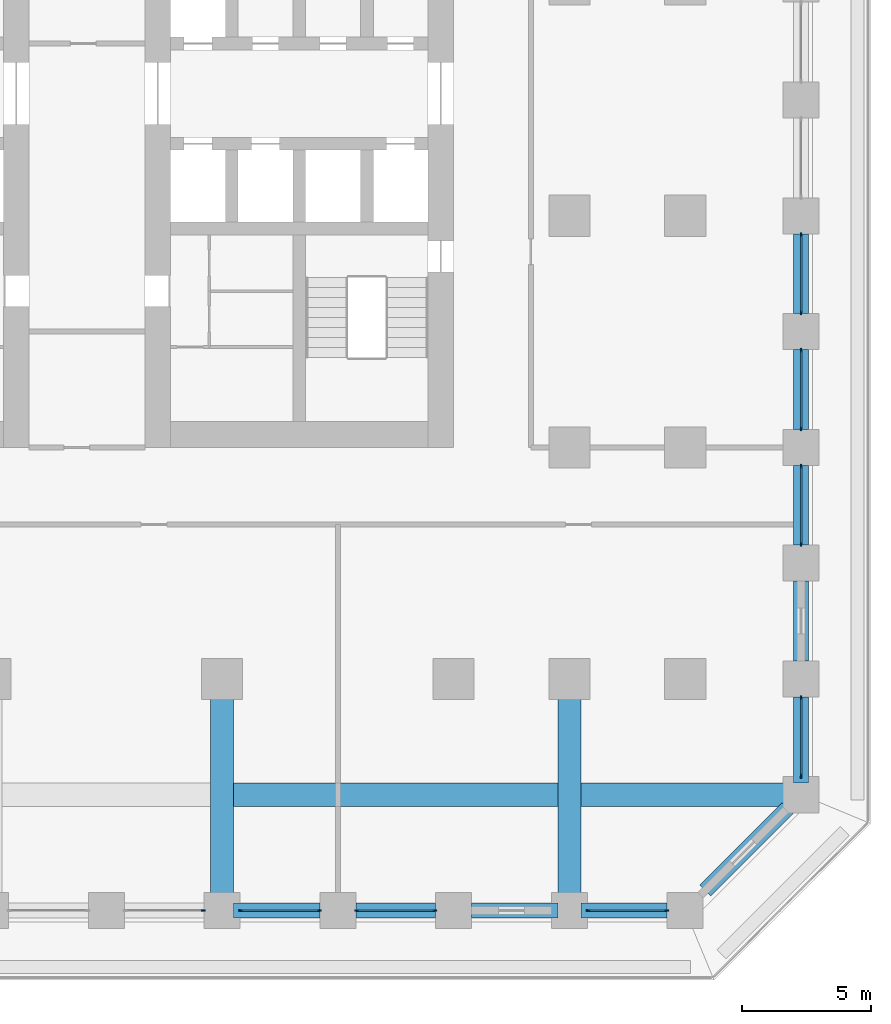
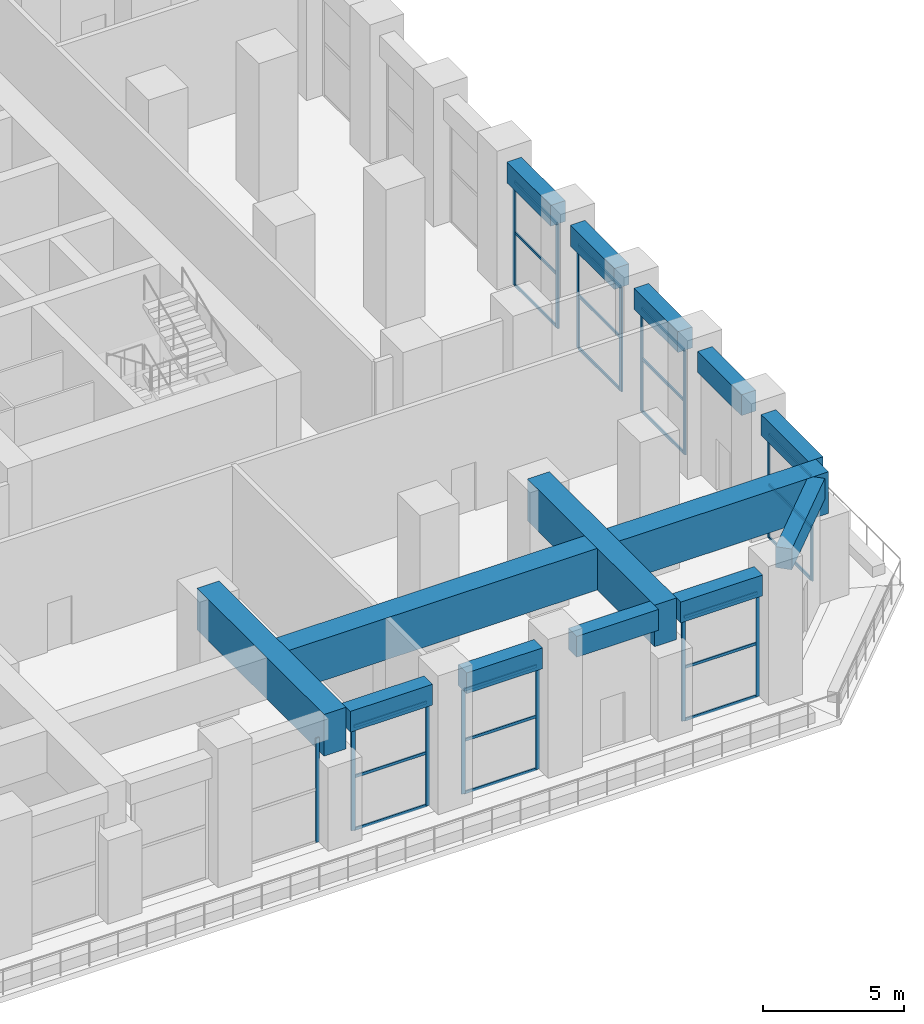
# One storey, part 4 of 19: 36 members, 14 beams, 8 elements without a shape of their own.
"""IFC4 building model written with IfcOpenShell, lengths in metres."""

from ifc_helpers import new_model, si_unit, direction, frame, origin, origin_2d, place, context, subcontext, project, spatial, rectangle, extrude, material, material_profile, profile_set, type_object, element, aggregate, save


model = new_model("IFC4")

# Units and contexts
model_context = context("Model", 3, precision=1e-05, world=origin(), true_north=direction((0.0, 1.0)))
body_context = subcontext(model_context, "Body", "Model", "MODEL_VIEW")
ifc_project = project(units=[si_unit("LENGTHUNIT", "METRE"), si_unit("AREAUNIT", "SQUARE_METRE"), si_unit("VOLUMEUNIT", "CUBIC_METRE"), si_unit("PLANEANGLEUNIT", "RADIAN"), si_unit("MASSUNIT", "GRAM", prefix="KILO")], contexts=[model_context])

# Site, building, storey
site_placement = place(None, origin())
site = spatial("IfcSite", under=ifc_project, at=site_placement, CompositionType="ELEMENT")
building_placement = place(site_placement, origin())
building = spatial("IfcBuilding", under=site, at=building_placement, Name="Corbel Stack Research Tower", CompositionType="ELEMENT")
storey_placement = place(building_placement, frame((0.0, 0.0, 70.60009765625)))
storey = spatial("IfcBuildingStorey", under=building, at=storey_placement, Name="L16", CompositionType="ELEMENT", Elevation=70.60009765625)

# Curtain wall, member
ifc_material_1 = material(Name="Aluminium frame, clear glass", Category="aluminium")
curtain_wall_type = type_object("IfcCurtainWallType", Name="Amenity floor curtain wall CW2", PredefinedType="NOTDEFINED", material=ifc_material_1)
curtain_wall_1_placement = place(storey_placement, origin())
curtain_wall_1 = element("IfcCurtainWall", 1, at=curtain_wall_1_placement, inside=storey, type_object=curtain_wall_type, Name="Curtain wall CW2 L16 S06", PredefinedType="NOTDEFINED")
ifc_material_2 = material(Name="Aluminium mullion", Category="aluminium")
ifc_material_profile_1 = material_profile(ifc_material_2, rectangle(XDim=0.06005859375, YDim=0.159912109375, at=origin_2d()), Name="Mullion 60 x 160")
ifc_profile_set_1 = profile_set([ifc_material_profile_1], Name="Aluminium mullion")
member_type_1 = type_object("IfcMemberType", Name="Curtain wall mullion 60 x 160", PredefinedType="MULLION", material=ifc_profile_set_1)
member_1_placement = place(storey_placement, frame((8.27001953125, -27.0, 0.0), z_axis=(0.0, 0.0, 1.0), x_axis=(0.0, 1.0, 0.0)))
member_1 = element("IfcMember", 2, at=member_1_placement, type_object=member_type_1, Name="CW2 L16 S06 mullion 2", PredefinedType="MULLION", context=body_context, shape_type="SweptSolid", body=[
    extrude(rectangle(XDim=0.06005859375, YDim=0.159912109375, at=origin_2d()), origin(), (0.0, 0.0, 1.0), 4.5),
])
aggregate(curtain_wall_1, [member_1])

# Curtain wall, members
curtain_wall_2_placement = place(storey_placement, origin())
curtain_wall_2 = element("IfcCurtainWall", 3, at=curtain_wall_2_placement, inside=storey, type_object=curtain_wall_type, Name="Curtain wall CW2 L16 S07", PredefinedType="NOTDEFINED")
member_2_placement = place(storey_placement, frame((9.72998046875, -27.0, 0.0), z_axis=(0.0, 0.0, 1.0), x_axis=(0.0, 1.0, 0.0)))
member_2 = element("IfcMember", 4, at=member_2_placement, type_object=member_type_1, Name="CW2 L16 S07 mullion 1", PredefinedType="MULLION", context=body_context, shape_type="SweptSolid", body=[
    extrude(rectangle(XDim=0.06005859375, YDim=0.159912109375, at=origin_2d()), origin(), (0.0, 0.0, 1.0), 4.5),
])
member_3_placement = place(storey_placement, frame((12.77001953125, -27.0, 0.0), z_axis=(0.0, 0.0, 1.0), x_axis=(0.0, 1.0, 0.0)))
member_3 = element("IfcMember", 5, at=member_3_placement, type_object=member_type_1, Name="CW2 L16 S07 mullion 2", PredefinedType="MULLION", context=body_context, shape_type="SweptSolid", body=[
    extrude(rectangle(XDim=0.06005859375, YDim=0.159912109375, at=origin_2d()), origin(), (0.0, 0.0, 1.0), 4.5),
])

curtain_wall_3_placement = place(storey_placement, origin())
curtain_wall_3 = element("IfcCurtainWall", 6, at=curtain_wall_3_placement, inside=storey, type_object=curtain_wall_type, Name="Curtain wall CW2 L16 S08", PredefinedType="NOTDEFINED")
member_4_placement = place(storey_placement, frame((14.22998046875, -27.0, 0.0), z_axis=(0.0, 0.0, 1.0), x_axis=(0.0, 1.0, 0.0)))
member_4 = element("IfcMember", 7, at=member_4_placement, type_object=member_type_1, Name="CW2 L16 S08 mullion 1", PredefinedType="MULLION", context=body_context, shape_type="SweptSolid", body=[
    extrude(rectangle(XDim=0.06005859375, YDim=0.159912109375, at=origin_2d()), origin(), (0.0, 0.0, 1.0), 4.5),
])
member_5_placement = place(storey_placement, frame((17.27001953125, -27.0, 0.0), z_axis=(0.0, 0.0, 1.0), x_axis=(0.0, 1.0, 0.0)))
member_5 = element("IfcMember", 8, at=member_5_placement, type_object=member_type_1, Name="CW2 L16 S08 mullion 2", PredefinedType="MULLION", context=body_context, shape_type="SweptSolid", body=[
    extrude(rectangle(XDim=0.06005859375, YDim=0.159912109375, at=origin_2d()), origin(), (0.0, 0.0, 1.0), 4.5),
])

curtain_wall_4_placement = place(storey_placement, origin())
curtain_wall_4 = element("IfcCurtainWall", 9, at=curtain_wall_4_placement, inside=storey, type_object=curtain_wall_type, Name="Curtain wall CW2 L16 S10", PredefinedType="NOTDEFINED")
member_6_placement = place(storey_placement, frame((23.22998046875, -27.0, 0.0), z_axis=(0.0, 0.0, 1.0), x_axis=(0.0, 1.0, 0.0)))
member_6 = element("IfcMember", 10, at=member_6_placement, type_object=member_type_1, Name="CW2 L16 S10 mullion 1", PredefinedType="MULLION", context=body_context, shape_type="SweptSolid", body=[
    extrude(rectangle(XDim=0.06005859375, YDim=0.159912109375, at=origin_2d()), origin(), (0.0, 0.0, 1.0), 4.5),
])
member_7_placement = place(storey_placement, frame((26.27001953125, -27.0, 0.0), z_axis=(0.0, 0.0, 1.0), x_axis=(0.0, 1.0, 0.0)))
member_7 = element("IfcMember", 11, at=member_7_placement, type_object=member_type_1, Name="CW2 L16 S10 mullion 2", PredefinedType="MULLION", context=body_context, shape_type="SweptSolid", body=[
    extrude(rectangle(XDim=0.06005859375, YDim=0.159912109375, at=origin_2d()), origin(), (0.0, 0.0, 1.0), 4.5),
])

curtain_wall_5_placement = place(storey_placement, origin())
curtain_wall_5 = element("IfcCurtainWall", 12, at=curtain_wall_5_placement, inside=storey, type_object=curtain_wall_type, Name="Curtain wall CW2 L16 E01", PredefinedType="NOTDEFINED")
member_8_placement = place(storey_placement, frame((31.5, -21.77001953125, 0.0), z_axis=(0.0, 0.0, 1.0), x_axis=(-1.0, 0.0, 0.0)))
member_8 = element("IfcMember", 13, at=member_8_placement, type_object=member_type_1, Name="CW2 L16 E01 mullion 1", PredefinedType="MULLION", context=body_context, shape_type="SweptSolid", body=[
    extrude(rectangle(XDim=0.06005859375, YDim=0.159912109375, at=origin_2d()), origin(), (0.0, 0.0, 1.0), 4.5),
])
member_9_placement = place(storey_placement, frame((31.5, -18.72998046875, 0.0), z_axis=(0.0, 0.0, 1.0), x_axis=(-1.0, 0.0, 0.0)))
member_9 = element("IfcMember", 14, at=member_9_placement, type_object=member_type_1, Name="CW2 L16 E01 mullion 2", PredefinedType="MULLION", context=body_context, shape_type="SweptSolid", body=[
    extrude(rectangle(XDim=0.06005859375, YDim=0.159912109375, at=origin_2d()), origin(), (0.0, 0.0, 1.0), 4.5),
])

curtain_wall_6_placement = place(storey_placement, origin())
curtain_wall_6 = element("IfcCurtainWall", 15, at=curtain_wall_6_placement, inside=storey, type_object=curtain_wall_type, Name="Curtain wall CW2 L16 E03", PredefinedType="NOTDEFINED")
member_10_placement = place(storey_placement, frame((31.5, -12.77001953125, 0.0), z_axis=(0.0, 0.0, 1.0), x_axis=(-1.0, 0.0, 0.0)))
member_10 = element("IfcMember", 16, at=member_10_placement, type_object=member_type_1, Name="CW2 L16 E03 mullion 1", PredefinedType="MULLION", context=body_context, shape_type="SweptSolid", body=[
    extrude(rectangle(XDim=0.06005859375, YDim=0.159912109375, at=origin_2d()), origin(), (0.0, 0.0, 1.0), 4.5),
])
member_11_placement = place(storey_placement, frame((31.5, -9.72998046875, 0.0), z_axis=(0.0, 0.0, 1.0), x_axis=(-1.0, 0.0, 0.0)))
member_11 = element("IfcMember", 17, at=member_11_placement, type_object=member_type_1, Name="CW2 L16 E03 mullion 2", PredefinedType="MULLION", context=body_context, shape_type="SweptSolid", body=[
    extrude(rectangle(XDim=0.06005859375, YDim=0.159912109375, at=origin_2d()), origin(), (0.0, 0.0, 1.0), 4.5),
])

curtain_wall_7_placement = place(storey_placement, origin())
curtain_wall_7 = element("IfcCurtainWall", 18, at=curtain_wall_7_placement, inside=storey, type_object=curtain_wall_type, Name="Curtain wall CW2 L16 E04", PredefinedType="NOTDEFINED")
member_12_placement = place(storey_placement, frame((31.5, -8.27001953125, 0.0), z_axis=(0.0, 0.0, 1.0), x_axis=(-1.0, 0.0, 0.0)))
member_12 = element("IfcMember", 19, at=member_12_placement, type_object=member_type_1, Name="CW2 L16 E04 mullion 1", PredefinedType="MULLION", context=body_context, shape_type="SweptSolid", body=[
    extrude(rectangle(XDim=0.06005859375, YDim=0.159912109375, at=origin_2d()), origin(), (0.0, 0.0, 1.0), 4.5),
])
member_13_placement = place(storey_placement, frame((31.5, -5.22998046875, 0.0), z_axis=(0.0, 0.0, 1.0), x_axis=(-1.0, 0.0, 0.0)))
member_13 = element("IfcMember", 20, at=member_13_placement, type_object=member_type_1, Name="CW2 L16 E04 mullion 2", PredefinedType="MULLION", context=body_context, shape_type="SweptSolid", body=[
    extrude(rectangle(XDim=0.06005859375, YDim=0.159912109375, at=origin_2d()), origin(), (0.0, 0.0, 1.0), 4.5),
])

curtain_wall_8_placement = place(storey_placement, origin())
curtain_wall_8 = element("IfcCurtainWall", 21, at=curtain_wall_8_placement, inside=storey, type_object=curtain_wall_type, Name="Curtain wall CW2 L16 E05", PredefinedType="NOTDEFINED")
member_14_placement = place(storey_placement, frame((31.5, -3.77001953125, 0.0), z_axis=(0.0, 0.0, 1.0), x_axis=(-1.0, 0.0, 0.0)))
member_14 = element("IfcMember", 22, at=member_14_placement, type_object=member_type_1, Name="CW2 L16 E05 mullion 1", PredefinedType="MULLION", context=body_context, shape_type="SweptSolid", body=[
    extrude(rectangle(XDim=0.06005859375, YDim=0.159912109375, at=origin_2d()), origin(), (0.0, 0.0, 1.0), 4.5),
])
member_15_placement = place(storey_placement, frame((31.5, -0.72998046875, 0.0), z_axis=(0.0, 0.0, 1.0), x_axis=(-1.0, 0.0, 0.0)))
member_15 = element("IfcMember", 23, at=member_15_placement, type_object=member_type_1, Name="CW2 L16 E05 mullion 2", PredefinedType="MULLION", context=body_context, shape_type="SweptSolid", body=[
    extrude(rectangle(XDim=0.06005859375, YDim=0.159912109375, at=origin_2d()), origin(), (0.0, 0.0, 1.0), 4.5),
])

# Member
ifc_material_3 = material(Name="Aluminium transom", Category="aluminium")
ifc_material_profile_2 = material_profile(ifc_material_3, rectangle(XDim=0.06005859375, YDim=0.1201171875, at=origin_2d()), Name="Transom 60 x 120")
ifc_profile_set_2 = profile_set([ifc_material_profile_2], Name="Aluminium transom")
member_type_2 = type_object("IfcMemberType", Name="Curtain wall transom 60 x 120", PredefinedType="USERDEFINED", material=ifc_profile_set_2)
member_16_placement = place(storey_placement, frame((9.760009765625, -27.0, 0.02978515625), z_axis=(1.0, 0.0, 0.0), x_axis=(0.0, 1.0, 0.0)))
member_16 = element("IfcMember", 24, at=member_16_placement, type_object=member_type_2, Name="CW2 L16 S07 transom 1.1", ObjectType="TRANSOM", PredefinedType="USERDEFINED", context=body_context, shape_type="SweptSolid", body=[
    extrude(rectangle(XDim=0.06005859375, YDim=0.1201171875, at=origin_2d()), origin(), (0.0, 0.0, 1.0), 2.97998046875),
])

member_17_placement = place(storey_placement, frame((9.760009765625, -27.0, 2.2998046875), z_axis=(1.0, 0.0, 0.0), x_axis=(0.0, 1.0, 0.0)))
member_17 = element("IfcMember", 25, at=member_17_placement, type_object=member_type_2, Name="CW2 L16 S07 transom 1.2", ObjectType="TRANSOM", PredefinedType="USERDEFINED", context=body_context, shape_type="SweptSolid", body=[
    extrude(rectangle(XDim=0.06005859375, YDim=0.1201171875, at=origin_2d()), origin(), (0.0, 0.0, 1.0), 2.97998046875),
])

member_18_placement = place(storey_placement, frame((9.760009765625, -27.0, 4.469970703125), z_axis=(1.0, 0.0, 0.0), x_axis=(0.0, 1.0, 0.0)))
member_18 = element("IfcMember", 26, at=member_18_placement, type_object=member_type_2, Name="CW2 L16 S07 transom 1.3", ObjectType="TRANSOM", PredefinedType="USERDEFINED", context=body_context, shape_type="SweptSolid", body=[
    extrude(rectangle(XDim=0.06005859375, YDim=0.1201171875, at=origin_2d()), origin(), (0.0, 0.0, 1.0), 2.97998046875),
])

aggregate(curtain_wall_2, [member_2, member_3, member_16, member_17, member_18])

member_19_placement = place(storey_placement, frame((14.260009765625, -27.0, 0.02978515625), z_axis=(1.0, 0.0, 0.0), x_axis=(0.0, 1.0, 0.0)))
member_19 = element("IfcMember", 27, at=member_19_placement, type_object=member_type_2, Name="CW2 L16 S08 transom 1.1", ObjectType="TRANSOM", PredefinedType="USERDEFINED", context=body_context, shape_type="SweptSolid", body=[
    extrude(rectangle(XDim=0.06005859375, YDim=0.1201171875, at=origin_2d()), origin(), (0.0, 0.0, 1.0), 2.97998046875),
])

member_20_placement = place(storey_placement, frame((14.260009765625, -27.0, 2.2998046875), z_axis=(1.0, 0.0, 0.0), x_axis=(0.0, 1.0, 0.0)))
member_20 = element("IfcMember", 28, at=member_20_placement, type_object=member_type_2, Name="CW2 L16 S08 transom 1.2", ObjectType="TRANSOM", PredefinedType="USERDEFINED", context=body_context, shape_type="SweptSolid", body=[
    extrude(rectangle(XDim=0.06005859375, YDim=0.1201171875, at=origin_2d()), origin(), (0.0, 0.0, 1.0), 2.97998046875),
])

member_21_placement = place(storey_placement, frame((14.260009765625, -27.0, 4.469970703125), z_axis=(1.0, 0.0, 0.0), x_axis=(0.0, 1.0, 0.0)))
member_21 = element("IfcMember", 29, at=member_21_placement, type_object=member_type_2, Name="CW2 L16 S08 transom 1.3", ObjectType="TRANSOM", PredefinedType="USERDEFINED", context=body_context, shape_type="SweptSolid", body=[
    extrude(rectangle(XDim=0.06005859375, YDim=0.1201171875, at=origin_2d()), origin(), (0.0, 0.0, 1.0), 2.97998046875),
])

aggregate(curtain_wall_3, [member_4, member_5, member_19, member_20, member_21])

member_22_placement = place(storey_placement, frame((23.260009765625, -27.0, 0.02978515625), z_axis=(1.0, 0.0, 0.0), x_axis=(0.0, 1.0, 0.0)))
member_22 = element("IfcMember", 30, at=member_22_placement, type_object=member_type_2, Name="CW2 L16 S10 transom 1.1", ObjectType="TRANSOM", PredefinedType="USERDEFINED", context=body_context, shape_type="SweptSolid", body=[
    extrude(rectangle(XDim=0.06005859375, YDim=0.1201171875, at=origin_2d()), origin(), (0.0, 0.0, 1.0), 2.97998046875),
])

member_23_placement = place(storey_placement, frame((23.260009765625, -27.0, 2.2998046875), z_axis=(1.0, 0.0, 0.0), x_axis=(0.0, 1.0, 0.0)))
member_23 = element("IfcMember", 31, at=member_23_placement, type_object=member_type_2, Name="CW2 L16 S10 transom 1.2", ObjectType="TRANSOM", PredefinedType="USERDEFINED", context=body_context, shape_type="SweptSolid", body=[
    extrude(rectangle(XDim=0.06005859375, YDim=0.1201171875, at=origin_2d()), origin(), (0.0, 0.0, 1.0), 2.97998046875),
])

member_24_placement = place(storey_placement, frame((23.260009765625, -27.0, 4.469970703125), z_axis=(1.0, 0.0, 0.0), x_axis=(0.0, 1.0, 0.0)))
member_24 = element("IfcMember", 32, at=member_24_placement, type_object=member_type_2, Name="CW2 L16 S10 transom 1.3", ObjectType="TRANSOM", PredefinedType="USERDEFINED", context=body_context, shape_type="SweptSolid", body=[
    extrude(rectangle(XDim=0.06005859375, YDim=0.1201171875, at=origin_2d()), origin(), (0.0, 0.0, 1.0), 2.97998046875),
])

aggregate(curtain_wall_4, [member_6, member_7, member_22, member_23, member_24])

member_25_placement = place(storey_placement, frame((31.5, -21.739990234375, 0.02978515625), z_axis=(0.0, 1.0, 0.0), x_axis=(-1.0, 0.0, 0.0)))
member_25 = element("IfcMember", 33, at=member_25_placement, type_object=member_type_2, Name="CW2 L16 E01 transom 1.1", ObjectType="TRANSOM", PredefinedType="USERDEFINED", context=body_context, shape_type="SweptSolid", body=[
    extrude(rectangle(XDim=0.06005859375, YDim=0.1201171875, at=origin_2d()), origin(), (0.0, 0.0, 1.0), 2.97998046875),
])

member_26_placement = place(storey_placement, frame((31.5, -21.739990234375, 2.2998046875), z_axis=(0.0, 1.0, 0.0), x_axis=(-1.0, 0.0, 0.0)))
member_26 = element("IfcMember", 34, at=member_26_placement, type_object=member_type_2, Name="CW2 L16 E01 transom 1.2", ObjectType="TRANSOM", PredefinedType="USERDEFINED", context=body_context, shape_type="SweptSolid", body=[
    extrude(rectangle(XDim=0.06005859375, YDim=0.1201171875, at=origin_2d()), origin(), (0.0, 0.0, 1.0), 2.97998046875),
])

member_27_placement = place(storey_placement, frame((31.5, -21.739990234375, 4.469970703125), z_axis=(0.0, 1.0, 0.0), x_axis=(-1.0, 0.0, 0.0)))
member_27 = element("IfcMember", 35, at=member_27_placement, type_object=member_type_2, Name="CW2 L16 E01 transom 1.3", ObjectType="TRANSOM", PredefinedType="USERDEFINED", context=body_context, shape_type="SweptSolid", body=[
    extrude(rectangle(XDim=0.06005859375, YDim=0.1201171875, at=origin_2d()), origin(), (0.0, 0.0, 1.0), 2.97998046875),
])

aggregate(curtain_wall_5, [member_8, member_9, member_25, member_26, member_27])

member_28_placement = place(storey_placement, frame((31.5, -12.739990234375, 0.02978515625), z_axis=(0.0, 1.0, 0.0), x_axis=(-1.0, 0.0, 0.0)))
member_28 = element("IfcMember", 36, at=member_28_placement, type_object=member_type_2, Name="CW2 L16 E03 transom 1.1", ObjectType="TRANSOM", PredefinedType="USERDEFINED", context=body_context, shape_type="SweptSolid", body=[
    extrude(rectangle(XDim=0.06005859375, YDim=0.1201171875, at=origin_2d()), origin(), (0.0, 0.0, 1.0), 2.97998046875),
])

member_29_placement = place(storey_placement, frame((31.5, -12.739990234375, 2.2998046875), z_axis=(0.0, 1.0, 0.0), x_axis=(-1.0, 0.0, 0.0)))
member_29 = element("IfcMember", 37, at=member_29_placement, type_object=member_type_2, Name="CW2 L16 E03 transom 1.2", ObjectType="TRANSOM", PredefinedType="USERDEFINED", context=body_context, shape_type="SweptSolid", body=[
    extrude(rectangle(XDim=0.06005859375, YDim=0.1201171875, at=origin_2d()), origin(), (0.0, 0.0, 1.0), 2.97998046875),
])

member_30_placement = place(storey_placement, frame((31.5, -12.739990234375, 4.469970703125), z_axis=(0.0, 1.0, 0.0), x_axis=(-1.0, 0.0, 0.0)))
member_30 = element("IfcMember", 38, at=member_30_placement, type_object=member_type_2, Name="CW2 L16 E03 transom 1.3", ObjectType="TRANSOM", PredefinedType="USERDEFINED", context=body_context, shape_type="SweptSolid", body=[
    extrude(rectangle(XDim=0.06005859375, YDim=0.1201171875, at=origin_2d()), origin(), (0.0, 0.0, 1.0), 2.97998046875),
])

aggregate(curtain_wall_6, [member_10, member_11, member_28, member_29, member_30])

member_31_placement = place(storey_placement, frame((31.5, -8.239990234375, 0.02978515625), z_axis=(0.0, 1.0, 0.0), x_axis=(-1.0, 0.0, 0.0)))
member_31 = element("IfcMember", 39, at=member_31_placement, type_object=member_type_2, Name="CW2 L16 E04 transom 1.1", ObjectType="TRANSOM", PredefinedType="USERDEFINED", context=body_context, shape_type="SweptSolid", body=[
    extrude(rectangle(XDim=0.06005859375, YDim=0.1201171875, at=origin_2d()), origin(), (0.0, 0.0, 1.0), 2.97998046875),
])

member_32_placement = place(storey_placement, frame((31.5, -8.239990234375, 2.2998046875), z_axis=(0.0, 1.0, 0.0), x_axis=(-1.0, 0.0, 0.0)))
member_32 = element("IfcMember", 40, at=member_32_placement, type_object=member_type_2, Name="CW2 L16 E04 transom 1.2", ObjectType="TRANSOM", PredefinedType="USERDEFINED", context=body_context, shape_type="SweptSolid", body=[
    extrude(rectangle(XDim=0.06005859375, YDim=0.1201171875, at=origin_2d()), origin(), (0.0, 0.0, 1.0), 2.97998046875),
])

member_33_placement = place(storey_placement, frame((31.5, -8.239990234375, 4.469970703125), z_axis=(0.0, 1.0, 0.0), x_axis=(-1.0, 0.0, 0.0)))
member_33 = element("IfcMember", 41, at=member_33_placement, type_object=member_type_2, Name="CW2 L16 E04 transom 1.3", ObjectType="TRANSOM", PredefinedType="USERDEFINED", context=body_context, shape_type="SweptSolid", body=[
    extrude(rectangle(XDim=0.06005859375, YDim=0.1201171875, at=origin_2d()), origin(), (0.0, 0.0, 1.0), 2.97998046875),
])

aggregate(curtain_wall_7, [member_12, member_13, member_31, member_32, member_33])

member_34_placement = place(storey_placement, frame((31.5, -3.739990234375, 0.02978515625), z_axis=(0.0, 1.0, 0.0), x_axis=(-1.0, 0.0, 0.0)))
member_34 = element("IfcMember", 42, at=member_34_placement, type_object=member_type_2, Name="CW2 L16 E05 transom 1.1", ObjectType="TRANSOM", PredefinedType="USERDEFINED", context=body_context, shape_type="SweptSolid", body=[
    extrude(rectangle(XDim=0.06005859375, YDim=0.1201171875, at=origin_2d()), origin(), (0.0, 0.0, 1.0), 2.97998046875),
])

member_35_placement = place(storey_placement, frame((31.5, -3.739990234375, 2.2998046875), z_axis=(0.0, 1.0, 0.0), x_axis=(-1.0, 0.0, 0.0)))
member_35 = element("IfcMember", 43, at=member_35_placement, type_object=member_type_2, Name="CW2 L16 E05 transom 1.2", ObjectType="TRANSOM", PredefinedType="USERDEFINED", context=body_context, shape_type="SweptSolid", body=[
    extrude(rectangle(XDim=0.06005859375, YDim=0.1201171875, at=origin_2d()), origin(), (0.0, 0.0, 1.0), 2.97998046875),
])

member_36_placement = place(storey_placement, frame((31.5, -3.739990234375, 4.469970703125), z_axis=(0.0, 1.0, 0.0), x_axis=(-1.0, 0.0, 0.0)))
member_36 = element("IfcMember", 44, at=member_36_placement, type_object=member_type_2, Name="CW2 L16 E05 transom 1.3", ObjectType="TRANSOM", PredefinedType="USERDEFINED", context=body_context, shape_type="SweptSolid", body=[
    extrude(rectangle(XDim=0.06005859375, YDim=0.1201171875, at=origin_2d()), origin(), (0.0, 0.0, 1.0), 2.97998046875),
])

aggregate(curtain_wall_8, [member_14, member_15, member_34, member_35, member_36])

# Beams
ifc_material_4 = material(Name="Concrete C60/75", Category="concrete")
ifc_material_profile_3 = material_profile(ifc_material_4, rectangle(XDim=0.60009765625, YDim=0.89990234375, at=origin_2d()), Name="RC 600 x 900")
ifc_profile_set_3 = profile_set([ifc_material_profile_3], Name="Concrete C60/75")
beam_type_1 = type_object("IfcBeamType", Name="SB-600-900-600", PredefinedType="SPANDREL", material=ifc_profile_set_3)
beam_1_placement = place(storey_placement, frame((9.449951171875, -27.0, 4.949951171875), z_axis=(1.0, 0.0, 0.0), x_axis=(0.0, 1.0, 0.0)))
element("IfcBeam", 45, at=beam_1_placement, inside=storey, type_object=beam_type_1, Name="Spandrel beam L16-07", PredefinedType="SPANDREL", context=body_context, shape_type="SweptSolid", body=[
    extrude(rectangle(XDim=0.60009765625, YDim=0.89990234375, at=origin_2d()), origin(), (0.0, 0.0, 1.0), 3.35009765625),
])
beam_2_placement = place(storey_placement, frame((14.199951171875, -27.0, 4.949951171875), z_axis=(1.0, 0.0, 0.0), x_axis=(0.0, 1.0, 0.0)))
element("IfcBeam", 46, at=beam_2_placement, inside=storey, type_object=beam_type_1, Name="Spandrel beam L16-08", PredefinedType="SPANDREL", context=body_context, shape_type="SweptSolid", body=[
    extrude(rectangle(XDim=0.60009765625, YDim=0.89990234375, at=origin_2d()), origin(), (0.0, 0.0, 1.0), 3.10009765625),
])
for number, where, z_axis, x_axis, name in (
    (47, (18.699951171875, -27.0, 4.949951171875), (1.0, 0.0, 0.0), (0.0, 1.0, 0.0), "Spandrel beam L16-09"),
    (48, (22.949951171875, -27.0, 4.949951171875), (1.0, 0.0, 0.0), (0.0, 1.0, 0.0), "Spandrel beam L16-10"),
):
    element("IfcBeam", number, at=place(storey_placement, frame(where, z_axis=z_axis, x_axis=x_axis)), inside=storey, type_object=beam_type_1, Name=name, PredefinedType="SPANDREL", context=body_context, shape_type="SweptSolid", body=[
        extrude(rectangle(XDim=0.60009765625, YDim=0.89990234375, at=origin_2d()), origin(), (0.0, 0.0, 1.0), 3.35009765625),
    ])
beam_3_placement = place(storey_placement, frame((27.77783203125, -26.22216796875, 4.949951171875), z_axis=(0.707106781187, 0.707106781187, 0.0), x_axis=(-0.707106781187, 0.707106781187, 0.0)))
element("IfcBeam", 49, at=beam_3_placement, inside=storey, type_object=beam_type_1, Name="Spandrel beam L16-11", PredefinedType="SPANDREL", context=body_context, shape_type="SweptSolid", body=[
    extrude(rectangle(XDim=0.60009765625, YDim=0.89990234375, at=origin_2d()), origin(), (0.0, 0.0, 1.0), 4.517578125),
])
beam_4_placement = place(storey_placement, frame((31.5, -22.050048828125, 4.949951171875), z_axis=(0.0, 1.0, 0.0), x_axis=(-1.0, 0.0, 0.0)))
element("IfcBeam", 50, at=beam_4_placement, inside=storey, type_object=beam_type_1, Name="Spandrel beam L16-12", PredefinedType="SPANDREL", context=body_context, shape_type="SweptSolid", body=[
    extrude(rectangle(XDim=0.60009765625, YDim=0.89990234375, at=origin_2d()), origin(), (0.0, 0.0, 1.0), 3.35009765625),
])
for number, where, z_axis, x_axis, name in (
    (51, (31.5, -17.300048828125, 4.949951171875), (0.0, 1.0, 0.0), (-1.0, 0.0, 0.0), "Spandrel beam L16-13"),
    (52, (31.5, -12.800048828125, 4.949951171875), (0.0, 1.0, 0.0), (-1.0, 0.0, 0.0), "Spandrel beam L16-14"),
    (53, (31.5, -8.300048828125, 4.949951171875), (0.0, 1.0, 0.0), (-1.0, 0.0, 0.0), "Spandrel beam L16-15"),
    (54, (31.5, -3.800048828125, 4.949951171875), (0.0, 1.0, 0.0), (-1.0, 0.0, 0.0), "Spandrel beam L16-16"),
):
    element("IfcBeam", number, at=place(storey_placement, frame(where, z_axis=z_axis, x_axis=x_axis)), inside=storey, type_object=beam_type_1, Name=name, PredefinedType="SPANDREL", context=body_context, shape_type="SweptSolid", body=[
        extrude(rectangle(XDim=0.60009765625, YDim=0.89990234375, at=origin_2d()), origin(), (0.0, 0.0, 1.0), 3.10009765625),
    ])
ifc_material_5 = material(Name="Concrete C60/75", Category="concrete")
ifc_material_profile_4 = material_profile(ifc_material_5, rectangle(XDim=0.89990234375, YDim=1.800048828125, at=origin_2d()), Name="RC 900 x 1800")
ifc_profile_set_4 = profile_set([ifc_material_profile_4], Name="Concrete C60/75")
beam_type_2 = type_object("IfcBeamType", Name="TG-900-1800", PredefinedType="BEAM", material=ifc_profile_set_4)
for number, where, z_axis, x_axis, name in (
    (55, (9.0, -27.0, 4.5), (0.0, 1.0, 0.0), (-1.0, 0.0, 0.0), "Transfer cross girder L16 Sx9"),
    (56, (22.5, -27.0, 4.5), (0.0, 1.0, 0.0), (-1.0, 0.0, 0.0), "Transfer cross girder L16 Sx22.5"),
):
    element("IfcBeam", number, at=place(storey_placement, frame(where, z_axis=z_axis, x_axis=x_axis)), inside=storey, type_object=beam_type_2, Name=name, PredefinedType="BEAM", context=body_context, shape_type="SweptSolid", body=[
        extrude(rectangle(XDim=0.89990234375, YDim=1.800048828125, at=origin_2d()), origin(), (0.0, 0.0, 1.0), 9.0),
    ])
beam_5_placement = place(storey_placement, frame((9.449951171875, -22.5, 4.5), z_axis=(1.0, 0.0, 0.0), x_axis=(0.0, 1.0, 0.0)))
element("IfcBeam", 57, at=beam_5_placement, inside=storey, type_object=beam_type_2, Name="Transfer girder along the step L16 Sl9", PredefinedType="BEAM", context=body_context, shape_type="SweptSolid", body=[
    extrude(rectangle(XDim=0.89990234375, YDim=1.800048828125, at=origin_2d()), origin(), (0.0, 0.0, 1.0), 12.60009765625),
])
beam_6_placement = place(storey_placement, frame((22.949951171875, -22.5, 4.5), z_axis=(1.0, 0.0, 0.0), x_axis=(0.0, 1.0, 0.0)))
element("IfcBeam", 58, at=beam_6_placement, inside=storey, type_object=beam_type_2, Name="Transfer girder along the step L16 Sl22.5", PredefinedType="BEAM", context=body_context, shape_type="SweptSolid", body=[
    extrude(rectangle(XDim=0.89990234375, YDim=1.800048828125, at=origin_2d()), origin(), (0.0, 0.0, 1.0), 8.550048828125),
])

save(model, "model.ifc")
